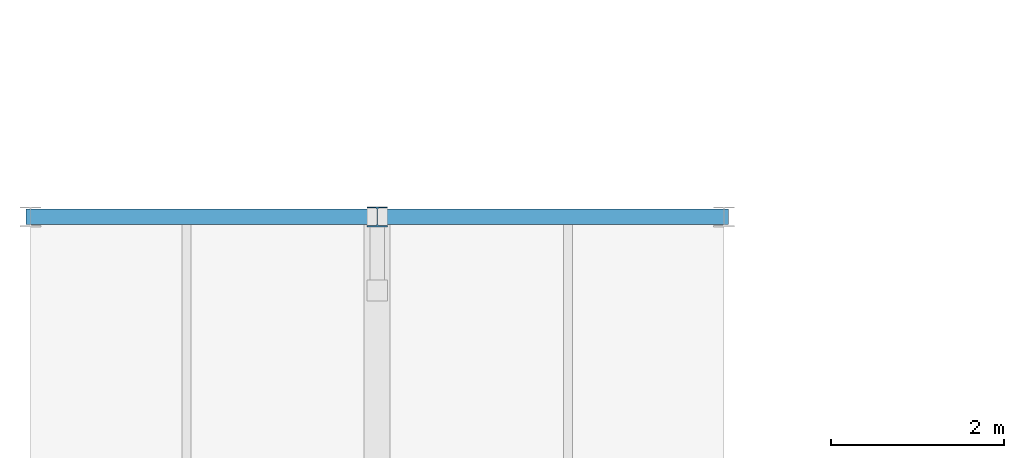
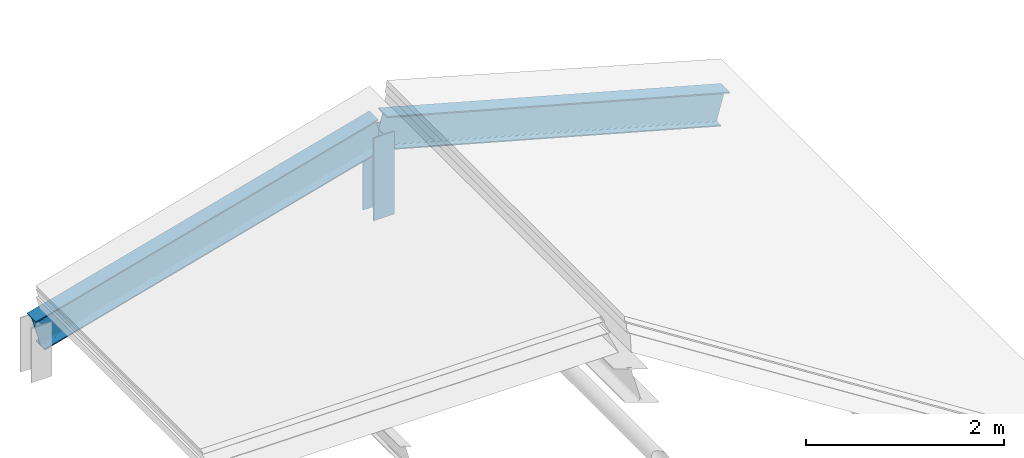
# One storey, part 16 of 67: 2 beams, 1 member.
"""IFC4 building model written with IfcOpenShell, lengths in metres."""

from ifc_helpers import new_model, si_unit, direction, frame, origin, origin_2d, place, context, subcontext, project, spatial, i_section, extrude, material, material_profile, profile_set, type_object, element, save


model = new_model("IFC4")

# Units and contexts
model_context = context("Model", 3, precision=1e-05, world=origin(), true_north=direction((0.0, 1.0)))
body_context = subcontext(model_context, "Body", "Model", "MODEL_VIEW")
ifc_project = project(units=[si_unit("LENGTHUNIT", "METRE"), si_unit("AREAUNIT", "SQUARE_METRE"), si_unit("VOLUMEUNIT", "CUBIC_METRE"), si_unit("PLANEANGLEUNIT", "RADIAN"), si_unit("MASSUNIT", "GRAM", prefix="KILO")], contexts=[model_context])

# Site, building, storey
site_placement = place(None, origin())
site = spatial("IfcSite", under=ifc_project, at=site_placement, CompositionType="ELEMENT")
building_placement = place(site_placement, origin())
building = spatial("IfcBuilding", under=site, at=building_placement, Name="Kenh Van Central Station", CompositionType="ELEMENT")
storey_placement = place(building_placement, frame((0.0, 0.0, 10.800048828125)))
storey = spatial("IfcBuildingStorey", under=building, at=storey_placement, Name="L02", CompositionType="ELEMENT", Elevation=10.800048828125)

# Beams
ifc_material = material(Name="Steel S355", Category="steel")
ifc_material_profile_1 = material_profile(ifc_material, i_section(OverallWidth=0.179931640625, OverallDepth=0.39990234375, WebThickness=0.008544921875, FlangeThickness=0.013427734375, FilletRadius=0.02099609375, at=origin_2d()), Name="IPE 400")
ifc_profile_set_1 = profile_set([ifc_material_profile_1], Name="Steel S355")
beam_type = type_object("IfcBeamType", Name="BM-STL-IPE400", PredefinedType="BEAM", material=ifc_profile_set_1)
for number, where, z_axis, x_axis, name in (
    (1, (0.0, 64.0, -0.42919921875), (0.964214419937, 0.0, 0.265123654896), (0.0, 1.0, 0.0), "L02 roof rafter 142"),
    (2, (4.0, 64.0, 0.670654296875), (0.964214419937, 0.0, -0.265123654896), (0.0, 1.0, 0.0), "L02 roof rafter 143"),
):
    element("IfcBeam", number, at=place(storey_placement, frame(where, z_axis=z_axis, x_axis=x_axis)), inside=storey, type_object=beam_type, Name=name, PredefinedType="BEAM", context=body_context, shape_type="SweptSolid", body=[
        extrude(i_section(OverallWidth=0.179931640625, OverallDepth=0.39990234375, WebThickness=0.008544921875, FlangeThickness=0.013427734375, FilletRadius=0.02099609375, at=origin_2d()), origin(), (0.0, 0.0, 1.0), 4.1484375),
    ])

# Member
ifc_material_profile_2 = material_profile(ifc_material, i_section(OverallWidth=0.239990234375, OverallDepth=0.22998046875, WebThickness=0.007568359375, FlangeThickness=0.011962890625, FilletRadius=0.02099609375, at=origin_2d()), Name="HEA 240")
ifc_profile_set_2 = profile_set([ifc_material_profile_2], Name="Steel S355")
member_type = type_object("IfcMemberType", Name="MEM-ROOF-POST240", PredefinedType="POST", material=ifc_profile_set_2)
member_placement = place(storey_placement, frame((4.0, 64.0, -0.35009765625), z_axis=(0.0, 0.0, 1.0), x_axis=(1.0, 0.0, 0.0)))
element("IfcMember", 3, at=member_placement, inside=storey, type_object=member_type, Name="L02 west colonnade north gable king-post", PredefinedType="POST", context=body_context, shape_type="SweptSolid", body=[
    extrude(i_section(OverallWidth=0.239990234375, OverallDepth=0.22998046875, WebThickness=0.007568359375, FlangeThickness=0.011962890625, FilletRadius=0.02099609375, at=origin_2d()), origin(), (0.0, 0.0, 1.0), 1.020751953125),
])

save(model, "model.ifc")
